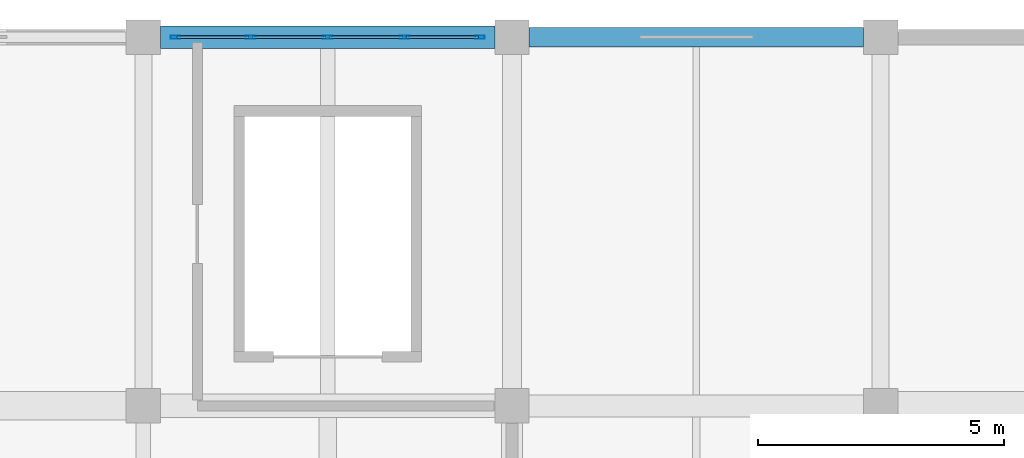
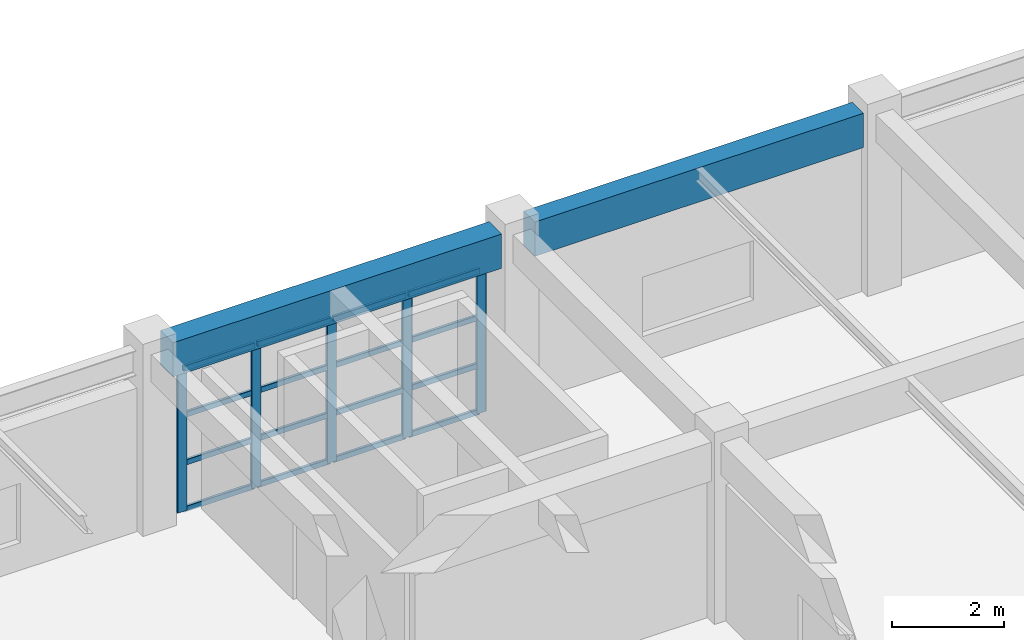
# One storey, part 78 of 132: 21 members, 2 beams, 1 element without a shape of its own.
"""IFC4 building model written with IfcOpenShell, lengths in metres."""

from ifc_helpers import new_model, si_unit, direction, frame, origin, origin_2d, place, context, subcontext, project, spatial, rectangle, hollow_rectangle, extrude, material, material_profile, profile_set, type_object, element, aggregate, save


model = new_model("IFC4")

# Units and contexts
model_context = context("Model", 3, precision=1e-05, world=origin(), true_north=direction((0.0, 1.0)))
body_context = subcontext(model_context, "Body", "Model", "MODEL_VIEW")
ifc_project = project(units=[si_unit("LENGTHUNIT", "METRE"), si_unit("AREAUNIT", "SQUARE_METRE"), si_unit("VOLUMEUNIT", "CUBIC_METRE"), si_unit("PLANEANGLEUNIT", "RADIAN"), si_unit("MASSUNIT", "GRAM", prefix="KILO")], contexts=[model_context])

# Site, building, storey
site_placement = place(None, origin())
site = spatial("IfcSite", under=ifc_project, at=site_placement, CompositionType="ELEMENT")
building_placement = place(site_placement, origin())
building = spatial("IfcBuilding", under=site, at=building_placement, Name="Qasida Concert Hall", CompositionType="ELEMENT")
storey_placement = place(building_placement, frame((0.0, 0.0, 4.800048828125)))
storey = spatial("IfcBuildingStorey", under=building, at=storey_placement, Name="L01", CompositionType="ELEMENT", Elevation=4.800048828125)

# Beams
ifc_material_1 = material(Name="Concrete C40/50", Category="concrete")
ifc_material_profile_1 = material_profile(ifc_material_1, rectangle(XDim=0.39990234375, YDim=0.75, at=origin_2d()), Name="RC 400x750")
ifc_profile_set_1 = profile_set([ifc_material_profile_1], Name="Concrete C40/50")
beam_type_1 = type_object("IfcBeamType", Name="BM-SP1", PredefinedType="SPANDREL", material=ifc_profile_set_1)
beam_1_placement = place(storey_placement, frame((150.35009765625, 112.5, 3.544921875), z_axis=(1.0, 0.0, 0.0), x_axis=(0.0, 1.0, 0.0)))
element("IfcBeam", 1, at=beam_1_placement, inside=storey, type_object=beam_type_1, Name="Primary girder 1008", PredefinedType="SPANDREL", context=body_context, shape_type="SweptSolid", body=[
    extrude(rectangle(XDim=0.39990234375, YDim=0.75, at=origin_2d()), origin(), (0.0, 0.0, 1.0), 6.7998046875),
])
ifc_material_profile_2 = material_profile(ifc_material_1, rectangle(XDim=0.449951171875, YDim=0.75, at=origin_2d()), Name="RC 450x750")
ifc_profile_set_2 = profile_set([ifc_material_profile_2], Name="Concrete C40/50")
beam_type_2 = type_object("IfcBeamType", Name="BM-SP4", PredefinedType="SPANDREL", material=ifc_profile_set_2)
beam_2_placement = place(storey_placement, frame((142.85009765625, 112.5, 3.544921875), z_axis=(1.0, 0.0, 0.0), x_axis=(0.0, 1.0, 0.0)))
element("IfcBeam", 2, at=beam_2_placement, inside=storey, type_object=beam_type_2, Name="Primary girder 1007", PredefinedType="SPANDREL", context=body_context, shape_type="SweptSolid", body=[
    extrude(rectangle(XDim=0.449951171875, YDim=0.75, at=origin_2d()), origin(), (0.0, 0.0, 1.0), 6.7998046875),
])

# Curtain wall, members
ifc_material_2 = material(Name="Architectural bronze-anodized aluminium and low-E glass", Category="aluminium")
curtain_wall_type = type_object("IfcCurtainWallType", Name="CW-04", PredefinedType="NOTDEFINED", material=ifc_material_2)
curtain_wall_placement = place(storey_placement, origin())
curtain_wall = element("IfcCurtainWall", 3, at=curtain_wall_placement, inside=storey, type_object=curtain_wall_type, Name="L01 curtain wall CW-04 0163", PredefinedType="NOTDEFINED")
ifc_material_3 = material(Name="Architectural bronze-anodized aluminium EN AW-6063", Category="aluminium")
ifc_material_profile_3 = material_profile(ifc_material_3, hollow_rectangle(XDim=0.06494140625, YDim=0.199951171875, WallThickness=0.0048828125, InnerFilletRadius=0.0048828125, OuterFilletRadius=0.010009765625, at=origin_2d()), Name="CWM 200x65x5")
ifc_profile_set_3 = profile_set([ifc_material_profile_3], Name="Architectural bronze-anodized aluminium EN AW-6063")
member_type_1 = type_object("IfcMemberType", Name="MB-CWM-2", PredefinedType="MULLION", material=ifc_profile_set_3)
member_1_placement = place(storey_placement, frame((143.152587890625, 112.5, 0.0), z_axis=(0.0, 0.0, 1.0), x_axis=(0.0, 1.0, 0.0)))
member_1 = element("IfcMember", 4, at=member_1_placement, type_object=member_type_1, Name="CW-04 mullion 1", PredefinedType="MULLION", context=body_context, shape_type="SweptSolid", body=[
    extrude(hollow_rectangle(XDim=0.06494140625, YDim=0.199951171875, WallThickness=0.0048828125, InnerFilletRadius=0.0048828125, OuterFilletRadius=0.010009765625, at=origin_2d()), origin(), (0.0, 0.0, 1.0), 3.139892578125),
])
member_2_placement = place(storey_placement, frame((144.68505859375, 112.5, 0.0), z_axis=(0.0, 0.0, 1.0), x_axis=(0.0, 1.0, 0.0)))
member_2 = element("IfcMember", 5, at=member_2_placement, type_object=member_type_1, Name="CW-04 mullion 2", PredefinedType="MULLION", context=body_context, shape_type="SweptSolid", body=[
    extrude(hollow_rectangle(XDim=0.06494140625, YDim=0.199951171875, WallThickness=0.0048828125, InnerFilletRadius=0.0048828125, OuterFilletRadius=0.010009765625, at=origin_2d()), origin(), (0.0, 0.0, 1.0), 3.139892578125),
])
member_3_placement = place(storey_placement, frame((146.25, 112.5, 0.0), z_axis=(0.0, 0.0, 1.0), x_axis=(0.0, 1.0, 0.0)))
member_3 = element("IfcMember", 6, at=member_3_placement, type_object=member_type_1, Name="CW-04 mullion 3", PredefinedType="MULLION", context=body_context, shape_type="SweptSolid", body=[
    extrude(hollow_rectangle(XDim=0.06494140625, YDim=0.199951171875, WallThickness=0.0048828125, InnerFilletRadius=0.0048828125, OuterFilletRadius=0.010009765625, at=origin_2d()), origin(), (0.0, 0.0, 1.0), 3.139892578125),
])
member_4_placement = place(storey_placement, frame((147.81494140625, 112.5, 0.0), z_axis=(0.0, 0.0, 1.0), x_axis=(0.0, 1.0, 0.0)))
member_4 = element("IfcMember", 7, at=member_4_placement, type_object=member_type_1, Name="CW-04 mullion 4", PredefinedType="MULLION", context=body_context, shape_type="SweptSolid", body=[
    extrude(hollow_rectangle(XDim=0.06494140625, YDim=0.199951171875, WallThickness=0.0048828125, InnerFilletRadius=0.0048828125, OuterFilletRadius=0.010009765625, at=origin_2d()), origin(), (0.0, 0.0, 1.0), 3.139892578125),
])
member_5_placement = place(storey_placement, frame((149.347412109375, 112.5, 0.0), z_axis=(0.0, 0.0, 1.0), x_axis=(0.0, 1.0, 0.0)))
member_5 = element("IfcMember", 8, at=member_5_placement, type_object=member_type_1, Name="CW-04 mullion 5", PredefinedType="MULLION", context=body_context, shape_type="SweptSolid", body=[
    extrude(hollow_rectangle(XDim=0.06494140625, YDim=0.199951171875, WallThickness=0.0048828125, InnerFilletRadius=0.0048828125, OuterFilletRadius=0.010009765625, at=origin_2d()), origin(), (0.0, 0.0, 1.0), 3.139892578125),
])
ifc_material_profile_4 = material_profile(ifc_material_3, hollow_rectangle(XDim=0.06005859375, YDim=0.1201171875, WallThickness=0.00390625, InnerFilletRadius=0.00390625, OuterFilletRadius=0.008056640625, at=origin_2d()), Name="CWT 120x60x4")
ifc_profile_set_4 = profile_set([ifc_material_profile_4], Name="Architectural bronze-anodized aluminium EN AW-6063")
member_type_2 = type_object("IfcMemberType", Name="MB-CWT-2", PredefinedType="USERDEFINED", material=ifc_profile_set_4)
member_6_placement = place(storey_placement, frame((143.18505859375, 112.5, 0.030029296875), z_axis=(1.0, 0.0, 0.0), x_axis=(0.0, 1.0, 0.0)))
member_6 = element("IfcMember", 9, at=member_6_placement, type_object=member_type_2, Name="CW-04 transom 1.1", ObjectType="TRANSOM", PredefinedType="USERDEFINED", context=body_context, shape_type="SweptSolid", body=[
    extrude(hollow_rectangle(XDim=0.06005859375, YDim=0.1201171875, WallThickness=0.00390625, InnerFilletRadius=0.00390625, OuterFilletRadius=0.008056640625, at=origin_2d()), origin(), (0.0, 0.0, 1.0), 1.467529296875),
])
member_7_placement = place(storey_placement, frame((143.18505859375, 112.5, 1.046630859375), z_axis=(1.0, 0.0, 0.0), x_axis=(0.0, 1.0, 0.0)))
member_7 = element("IfcMember", 10, at=member_7_placement, type_object=member_type_2, Name="CW-04 transom 1.2", ObjectType="TRANSOM", PredefinedType="USERDEFINED", context=body_context, shape_type="SweptSolid", body=[
    extrude(hollow_rectangle(XDim=0.06005859375, YDim=0.1201171875, WallThickness=0.00390625, InnerFilletRadius=0.00390625, OuterFilletRadius=0.008056640625, at=origin_2d()), origin(), (0.0, 0.0, 1.0), 1.467529296875),
])
member_8_placement = place(storey_placement, frame((143.18505859375, 112.5, 2.09326171875), z_axis=(1.0, 0.0, 0.0), x_axis=(0.0, 1.0, 0.0)))
member_8 = element("IfcMember", 11, at=member_8_placement, type_object=member_type_2, Name="CW-04 transom 1.3", ObjectType="TRANSOM", PredefinedType="USERDEFINED", context=body_context, shape_type="SweptSolid", body=[
    extrude(hollow_rectangle(XDim=0.06005859375, YDim=0.1201171875, WallThickness=0.00390625, InnerFilletRadius=0.00390625, OuterFilletRadius=0.008056640625, at=origin_2d()), origin(), (0.0, 0.0, 1.0), 1.467529296875),
])
member_9_placement = place(storey_placement, frame((143.18505859375, 112.5, 3.10986328125), z_axis=(1.0, 0.0, 0.0), x_axis=(0.0, 1.0, 0.0)))
member_9 = element("IfcMember", 12, at=member_9_placement, type_object=member_type_2, Name="CW-04 transom 1.4", ObjectType="TRANSOM", PredefinedType="USERDEFINED", context=body_context, shape_type="SweptSolid", body=[
    extrude(hollow_rectangle(XDim=0.06005859375, YDim=0.1201171875, WallThickness=0.00390625, InnerFilletRadius=0.00390625, OuterFilletRadius=0.008056640625, at=origin_2d()), origin(), (0.0, 0.0, 1.0), 1.467529296875),
])
member_10_placement = place(storey_placement, frame((144.717529296875, 112.5, 0.030029296875), z_axis=(1.0, 0.0, 0.0), x_axis=(0.0, 1.0, 0.0)))
member_10 = element("IfcMember", 13, at=member_10_placement, type_object=member_type_2, Name="CW-04 transom 2.1", ObjectType="TRANSOM", PredefinedType="USERDEFINED", context=body_context, shape_type="SweptSolid", body=[
    extrude(hollow_rectangle(XDim=0.06005859375, YDim=0.1201171875, WallThickness=0.00390625, InnerFilletRadius=0.00390625, OuterFilletRadius=0.008056640625, at=origin_2d()), origin(), (0.0, 0.0, 1.0), 1.5),
])
member_11_placement = place(storey_placement, frame((144.717529296875, 112.5, 1.046630859375), z_axis=(1.0, 0.0, 0.0), x_axis=(0.0, 1.0, 0.0)))
member_11 = element("IfcMember", 14, at=member_11_placement, type_object=member_type_2, Name="CW-04 transom 2.2", ObjectType="TRANSOM", PredefinedType="USERDEFINED", context=body_context, shape_type="SweptSolid", body=[
    extrude(hollow_rectangle(XDim=0.06005859375, YDim=0.1201171875, WallThickness=0.00390625, InnerFilletRadius=0.00390625, OuterFilletRadius=0.008056640625, at=origin_2d()), origin(), (0.0, 0.0, 1.0), 1.5),
])
member_12_placement = place(storey_placement, frame((144.717529296875, 112.5, 2.09326171875), z_axis=(1.0, 0.0, 0.0), x_axis=(0.0, 1.0, 0.0)))
member_12 = element("IfcMember", 15, at=member_12_placement, type_object=member_type_2, Name="CW-04 transom 2.3", ObjectType="TRANSOM", PredefinedType="USERDEFINED", context=body_context, shape_type="SweptSolid", body=[
    extrude(hollow_rectangle(XDim=0.06005859375, YDim=0.1201171875, WallThickness=0.00390625, InnerFilletRadius=0.00390625, OuterFilletRadius=0.008056640625, at=origin_2d()), origin(), (0.0, 0.0, 1.0), 1.5),
])
member_13_placement = place(storey_placement, frame((144.717529296875, 112.5, 3.10986328125), z_axis=(1.0, 0.0, 0.0), x_axis=(0.0, 1.0, 0.0)))
member_13 = element("IfcMember", 16, at=member_13_placement, type_object=member_type_2, Name="CW-04 transom 2.4", ObjectType="TRANSOM", PredefinedType="USERDEFINED", context=body_context, shape_type="SweptSolid", body=[
    extrude(hollow_rectangle(XDim=0.06005859375, YDim=0.1201171875, WallThickness=0.00390625, InnerFilletRadius=0.00390625, OuterFilletRadius=0.008056640625, at=origin_2d()), origin(), (0.0, 0.0, 1.0), 1.5),
])
member_14_placement = place(storey_placement, frame((146.282470703125, 112.5, 0.030029296875), z_axis=(1.0, 0.0, 0.0), x_axis=(0.0, 1.0, 0.0)))
member_14 = element("IfcMember", 17, at=member_14_placement, type_object=member_type_2, Name="CW-04 transom 3.1", ObjectType="TRANSOM", PredefinedType="USERDEFINED", context=body_context, shape_type="SweptSolid", body=[
    extrude(hollow_rectangle(XDim=0.06005859375, YDim=0.1201171875, WallThickness=0.00390625, InnerFilletRadius=0.00390625, OuterFilletRadius=0.008056640625, at=origin_2d()), origin(), (0.0, 0.0, 1.0), 1.5),
])
member_15_placement = place(storey_placement, frame((146.282470703125, 112.5, 1.046630859375), z_axis=(1.0, 0.0, 0.0), x_axis=(0.0, 1.0, 0.0)))
member_15 = element("IfcMember", 18, at=member_15_placement, type_object=member_type_2, Name="CW-04 transom 3.2", ObjectType="TRANSOM", PredefinedType="USERDEFINED", context=body_context, shape_type="SweptSolid", body=[
    extrude(hollow_rectangle(XDim=0.06005859375, YDim=0.1201171875, WallThickness=0.00390625, InnerFilletRadius=0.00390625, OuterFilletRadius=0.008056640625, at=origin_2d()), origin(), (0.0, 0.0, 1.0), 1.5),
])
member_16_placement = place(storey_placement, frame((146.282470703125, 112.5, 2.09326171875), z_axis=(1.0, 0.0, 0.0), x_axis=(0.0, 1.0, 0.0)))
member_16 = element("IfcMember", 19, at=member_16_placement, type_object=member_type_2, Name="CW-04 transom 3.3", ObjectType="TRANSOM", PredefinedType="USERDEFINED", context=body_context, shape_type="SweptSolid", body=[
    extrude(hollow_rectangle(XDim=0.06005859375, YDim=0.1201171875, WallThickness=0.00390625, InnerFilletRadius=0.00390625, OuterFilletRadius=0.008056640625, at=origin_2d()), origin(), (0.0, 0.0, 1.0), 1.5),
])
member_17_placement = place(storey_placement, frame((146.282470703125, 112.5, 3.10986328125), z_axis=(1.0, 0.0, 0.0), x_axis=(0.0, 1.0, 0.0)))
member_17 = element("IfcMember", 20, at=member_17_placement, type_object=member_type_2, Name="CW-04 transom 3.4", ObjectType="TRANSOM", PredefinedType="USERDEFINED", context=body_context, shape_type="SweptSolid", body=[
    extrude(hollow_rectangle(XDim=0.06005859375, YDim=0.1201171875, WallThickness=0.00390625, InnerFilletRadius=0.00390625, OuterFilletRadius=0.008056640625, at=origin_2d()), origin(), (0.0, 0.0, 1.0), 1.5),
])
member_18_placement = place(storey_placement, frame((147.847412109375, 112.5, 0.030029296875), z_axis=(1.0, 0.0, 0.0), x_axis=(0.0, 1.0, 0.0)))
member_18 = element("IfcMember", 21, at=member_18_placement, type_object=member_type_2, Name="CW-04 transom 4.1", ObjectType="TRANSOM", PredefinedType="USERDEFINED", context=body_context, shape_type="SweptSolid", body=[
    extrude(hollow_rectangle(XDim=0.06005859375, YDim=0.1201171875, WallThickness=0.00390625, InnerFilletRadius=0.00390625, OuterFilletRadius=0.008056640625, at=origin_2d()), origin(), (0.0, 0.0, 1.0), 1.467529296875),
])
member_19_placement = place(storey_placement, frame((147.847412109375, 112.5, 1.046630859375), z_axis=(1.0, 0.0, 0.0), x_axis=(0.0, 1.0, 0.0)))
member_19 = element("IfcMember", 22, at=member_19_placement, type_object=member_type_2, Name="CW-04 transom 4.2", ObjectType="TRANSOM", PredefinedType="USERDEFINED", context=body_context, shape_type="SweptSolid", body=[
    extrude(hollow_rectangle(XDim=0.06005859375, YDim=0.1201171875, WallThickness=0.00390625, InnerFilletRadius=0.00390625, OuterFilletRadius=0.008056640625, at=origin_2d()), origin(), (0.0, 0.0, 1.0), 1.467529296875),
])
member_20_placement = place(storey_placement, frame((147.847412109375, 112.5, 2.09326171875), z_axis=(1.0, 0.0, 0.0), x_axis=(0.0, 1.0, 0.0)))
member_20 = element("IfcMember", 23, at=member_20_placement, type_object=member_type_2, Name="CW-04 transom 4.3", ObjectType="TRANSOM", PredefinedType="USERDEFINED", context=body_context, shape_type="SweptSolid", body=[
    extrude(hollow_rectangle(XDim=0.06005859375, YDim=0.1201171875, WallThickness=0.00390625, InnerFilletRadius=0.00390625, OuterFilletRadius=0.008056640625, at=origin_2d()), origin(), (0.0, 0.0, 1.0), 1.467529296875),
])
member_21_placement = place(storey_placement, frame((147.847412109375, 112.5, 3.10986328125), z_axis=(1.0, 0.0, 0.0), x_axis=(0.0, 1.0, 0.0)))
member_21 = element("IfcMember", 24, at=member_21_placement, type_object=member_type_2, Name="CW-04 transom 4.4", ObjectType="TRANSOM", PredefinedType="USERDEFINED", context=body_context, shape_type="SweptSolid", body=[
    extrude(hollow_rectangle(XDim=0.06005859375, YDim=0.1201171875, WallThickness=0.00390625, InnerFilletRadius=0.00390625, OuterFilletRadius=0.008056640625, at=origin_2d()), origin(), (0.0, 0.0, 1.0), 1.467529296875),
])
aggregate(curtain_wall, [member_1, member_2, member_3, member_4, member_5, member_6, member_7, member_8, member_9, member_10, member_11, member_12, member_13, member_14, member_15, member_16, member_17, member_18, member_19, member_20, member_21])

save(model, "model.ifc")
